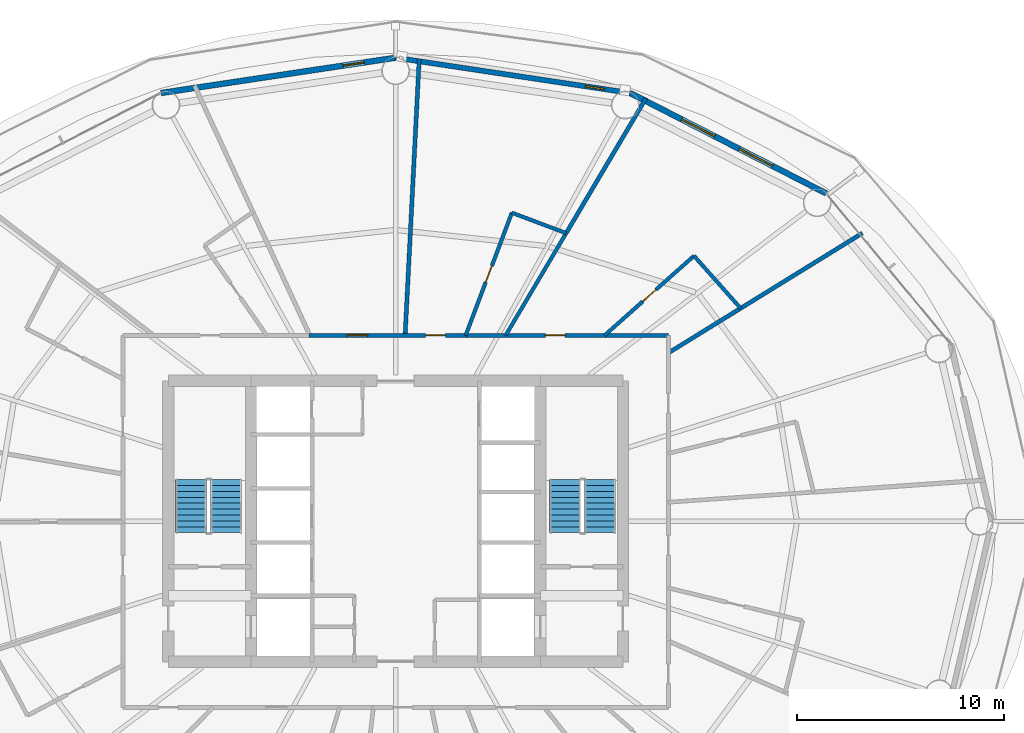
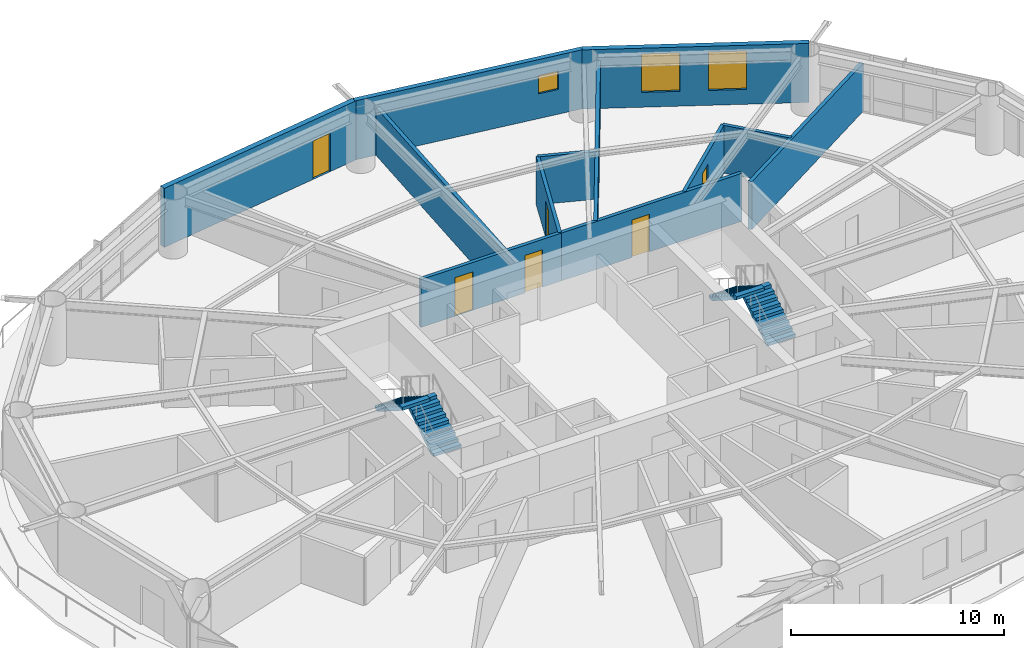
# One storey, part 21 of 24: 13 walls, 6 doors, 4 stair flights, 3 windows, 9 openings, 2 elements without a shape of their own.
"""IFC4 building model written with IfcOpenShell, lengths in metres."""

from ifc_helpers import new_model, si_unit, direction, frame, frame_2d, origin, place, context, subcontext, project, spatial, polyline, rectangle, outline, extrude, material, layer, layer_set, type_object, element, fill, aggregate, save


model = new_model("IFC4")

# Units and contexts
model_context = context("Model", 3, precision=1e-05, world=origin(), true_north=direction((0.0, 1.0)))
body_context = subcontext(model_context, "Body", "Model", "MODEL_VIEW")
ifc_project = project(units=[si_unit("LENGTHUNIT", "METRE"), si_unit("AREAUNIT", "SQUARE_METRE"), si_unit("VOLUMEUNIT", "CUBIC_METRE"), si_unit("PLANEANGLEUNIT", "RADIAN"), si_unit("MASSUNIT", "GRAM", prefix="KILO")], contexts=[model_context])

# Site, building, storey
site_placement = place(None, origin())
site = spatial("IfcSite", under=ifc_project, at=site_placement, CompositionType="ELEMENT")
building_placement = place(site_placement, origin())
building = spatial("IfcBuilding", under=site, at=building_placement, Name="Sarneth Arch Tower", CompositionType="ELEMENT")
storey_placement = place(building_placement, frame((0.0, 0.0, 91.199951171875)))
storey = spatial("IfcBuildingStorey", under=building, at=storey_placement, Name="L22", CompositionType="ELEMENT", Elevation=91.199951171875)

# Wall, opening, door
ifc_material_1 = material(Name="Double steel-stud corridor fire wall", Category="steel")
ifc_layer_1 = layer(ifc_material_1, 0.18994140625)
ifc_layer_set_1 = layer_set([ifc_layer_1], Name="Double steel-stud corridor fire wall")
wall_type_1 = type_object("IfcWallType", Name="WALL-CORR-190", PredefinedType="PARTITIONING", material=ifc_layer_set_1)
wall_1_placement = place(storey_placement, frame((51.35693359375, 51.0, 0.0), z_axis=(0.0, 0.0, 1.0), x_axis=(1.0, 0.0, 0.0)))
wall_1 = element("IfcWall", 1, at=wall_1_placement, inside=storey, type_object=wall_type_1, Name="L22 Interior partition W-L22-TP-003", PredefinedType="PARTITIONING", context=body_context, shape_type="SweptSolid", body=[
    extrude(rectangle(XDim=9.843017578125, YDim=0.18994140625, at=frame_2d((4.92138671875, 0.0))), origin(), (0.0, 0.0, 1.0), 2.739990234375),
])
opening_1_placement = place(wall_1_placement, frame((3.893798828125, 0.0, 0.0)))
opening_1 = element("IfcOpeningElement", 2, at=opening_1_placement, cuts=wall_1, Name="Opening FD-09", PredefinedType="OPENING", context=body_context, shape_type="SweptSolid", body=[
    extrude(rectangle(XDim=0.949951171875, YDim=2.14990234375, at=frame_2d((0.47509765625, 1.074951171875))), frame((0.0, 0.10498046875, 0.0), z_axis=(0.0, -1.0, 0.0), x_axis=(1.0, 0.0, 0.0)), (0.0, 0.0, 1.0), 0.2099609375),
])
ifc_material_2 = material(Name="Hardwood timber hotel entrance fire door", Category="wood")
door_type_1 = type_object("IfcDoorType", Name="DR-FD60-950", OperationType="SINGLE_SWING_RIGHT", PredefinedType="DOOR", material=ifc_material_2)
door_1_placement = place(opening_1_placement, origin())
door_1 = element("IfcDoor", 3, at=door_1_placement, inside=storey, type_object=door_type_1, Name="L22 Interior door DR-L22-KEY-02", OperationType="SINGLE_SWING_LEFT", OverallHeight=2.14990234375, OverallWidth=0.949951171875, PredefinedType="DOOR", context=body_context, shape_type="SweptSolid", body=[
    extrude(rectangle(XDim=0.949951171875, YDim=2.14990234375, at=frame_2d((0.47509765625, 1.074951171875))), frame((0.0, 0.02490234375, 0.0), z_axis=(0.0, -1.0, 0.0), x_axis=(1.0, 0.0, 0.0)), (0.0, 0.0, 1.0), 0.050048828125),
])
fill(opening_1, door_1)

# Wall, openings, doors
wall_2_placement = place(storey_placement, frame((43.81201171875, 51.0, 0.0), z_axis=(0.0, 0.0, 1.0), x_axis=(1.0, 0.0, 0.0)))
wall_2 = element("IfcWall", 4, at=wall_2_placement, inside=storey, type_object=wall_type_1, Name="L22 Interior partition W-L22-TP-008", PredefinedType="PARTITIONING", context=body_context, shape_type="SweptSolid", body=[
    extrude(rectangle(XDim=7.61328125, YDim=0.18994140625, at=frame_2d((3.806640625, 0.0))), origin(), (0.0, 0.0, 1.0), 2.739990234375),
])
opening_2_placement = place(wall_2_placement, frame((1.839599609375, 0.0, 0.0)))
opening_2 = element("IfcOpeningElement", 5, at=opening_2_placement, cuts=wall_2, Name="Opening FD-08", PredefinedType="OPENING", context=body_context, shape_type="SweptSolid", body=[
    extrude(rectangle(XDim=1.0, YDim=2.199951171875, at=frame_2d((0.5, 1.10009765625))), frame((0.0, 0.10498046875, 0.0), z_axis=(0.0, -1.0, 0.0), x_axis=(1.0, 0.0, 0.0)), (0.0, 0.0, 1.0), 0.2099609375),
])
opening_3_placement = place(wall_2_placement, frame((5.639404296875, 0.0, 0.0)))
opening_3 = element("IfcOpeningElement", 6, at=opening_3_placement, cuts=wall_2, Name="Opening FD-09", PredefinedType="OPENING", context=body_context, shape_type="SweptSolid", body=[
    extrude(rectangle(XDim=0.949951171875, YDim=2.14990234375, at=frame_2d((0.47509765625, 1.074951171875))), frame((0.0, 0.10498046875, 0.0), z_axis=(0.0, -1.0, 0.0), x_axis=(1.0, 0.0, 0.0)), (0.0, 0.0, 1.0), 0.2099609375),
])
ifc_material_3 = material(Name="Hardwood timber acoustic fire door", Category="wood")
door_type_2 = type_object("IfcDoorType", Name="DR-FD60-1000", OperationType="SINGLE_SWING_LEFT", PredefinedType="DOOR", material=ifc_material_3)
door_2_placement = place(opening_2_placement, origin())
door_2 = element("IfcDoor", 7, at=door_2_placement, inside=storey, type_object=door_type_2, Name="L22 Interior door DR-L22-AMN-04", OperationType="SINGLE_SWING_RIGHT", OverallHeight=2.199951171875, OverallWidth=1.0, PredefinedType="DOOR", context=body_context, shape_type="SweptSolid", body=[
    extrude(rectangle(XDim=1.0, YDim=2.199951171875, at=frame_2d((0.5, 1.10009765625))), frame((0.0, 0.02490234375, 0.0), z_axis=(0.0, -1.0, 0.0), x_axis=(1.0, 0.0, 0.0)), (0.0, 0.0, 1.0), 0.050048828125),
])
fill(opening_2, door_2)
door_3_placement = place(opening_3_placement, origin())
door_3 = element("IfcDoor", 8, at=door_3_placement, inside=storey, type_object=door_type_1, Name="L22 Interior door DR-L22-KEY-03", OperationType="SINGLE_SWING_RIGHT", OverallHeight=2.14990234375, OverallWidth=0.949951171875, PredefinedType="DOOR", context=body_context, shape_type="SweptSolid", body=[
    extrude(rectangle(XDim=0.949951171875, YDim=2.14990234375, at=frame_2d((0.47509765625, 1.074951171875))), frame((0.0, 0.02490234375, 0.0), z_axis=(0.0, -1.0, 0.0), x_axis=(1.0, 0.0, 0.0)), (0.0, 0.0, 1.0), 0.050048828125),
])
fill(opening_3, door_3)

# Wall, opening, window
ifc_material_4 = material(Name="Extruded terracotta rainscreen on Concrete C40/50 backing", Category="masonry")
ifc_layer_2 = layer(ifc_material_4, 0.25)
ifc_layer_set_2 = layer_set([ifc_layer_2], Name="Extruded terracotta rainscreen on Concrete C40/50 backing")
wall_type_2 = type_object("IfcWallType", Name="WALL-EXT-SPAND-250", PredefinedType="SOLIDWALL", material=ifc_layer_set_2)
wall_3_placement = place(storey_placement, frame((59.351318359375, 62.72265625, 0.0), z_axis=(0.0, 0.0, 1.0), x_axis=(-0.988877774656, 0.148730450117, 0.0)))
wall_3 = element("IfcWall", 9, at=wall_3_placement, inside=storey, type_object=wall_type_2, Name="L22 Terracotta perimeter wall 04", PredefinedType="SOLIDWALL", context=body_context, shape_type="SweptSolid", body=[
    extrude(rectangle(XDim=11.47900390625, YDim=0.25, at=frame_2d((5.739501953125, 0.0))), origin(), (0.0, 0.0, 1.0), 3.380126953125),
])
opening_4_placement = place(wall_3_placement, frame((1.230712890625, 0.0, 1.419921875)))
opening_4 = element("IfcOpeningElement", 10, at=opening_4_placement, cuts=wall_3, Name="Opening W-14", PredefinedType="OPENING", context=body_context, shape_type="SweptSolid", body=[
    extrude(rectangle(XDim=1.0, YDim=1.050048828125, at=frame_2d((0.5, 0.52490234375))), frame((0.0, 0.135009765625, 0.0), z_axis=(0.0, -1.0, 0.0), x_axis=(1.0, 0.0, 0.0)), (0.0, 0.0, 1.0), 0.27001953125),
])
ifc_material_5 = material(Name="Thermally broken Aluminium 6063-T6 and low-e laminated IGU", Category="aluminium")
window_type_1 = type_object("IfcWindowType", Name="WIN-TWR-1000x1050", PartitioningType="SINGLE_PANEL", PredefinedType="WINDOW", material=ifc_material_5)
window_1_placement = place(opening_4_placement, origin())
window_1 = element("IfcWindow", 11, at=window_1_placement, inside=storey, type_object=window_type_1, Name="L22 Dwelling bedroom window 01", OverallHeight=1.050048828125, OverallWidth=1.0, PartitioningType="SINGLE_PANEL", PredefinedType="WINDOW", context=body_context, shape_type="SweptSolid", body=[
    extrude(rectangle(XDim=1.0, YDim=1.050048828125, at=frame_2d((0.5, 0.52490234375))), frame((0.0, 0.030029296875, 0.0), z_axis=(0.0, -1.0, 0.0), x_axis=(1.0, 0.0, 0.0)), (0.0, 0.0, 1.0), 0.06005859375),
])
fill(opening_4, window_1)

# Wall, openings, windows
ifc_material_6 = material(Name="Extruded terracotta rainscreen on Concrete C40/50 backing", Category="masonry")
ifc_layer_3 = layer(ifc_material_6, 0.280029296875)
ifc_layer_set_3 = layer_set([ifc_layer_3], Name="Extruded terracotta rainscreen on Concrete C40/50 backing")
wall_type_3 = type_object("IfcWallType", Name="WALL-EXT-TERRA-280", PredefinedType="SOLIDWALL", material=ifc_layer_set_3)
wall_4_placement = place(storey_placement, frame((68.840087890625, 57.8603515625, 0.0), z_axis=(0.0, 0.0, 1.0), x_axis=(-0.889959505023, 0.45603955905, 0.0)))
wall_4 = element("IfcWall", 12, at=wall_4_placement, inside=storey, type_object=wall_type_3, Name="L22 Terracotta perimeter wall 03", PredefinedType="SOLIDWALL", context=body_context, shape_type="SweptSolid", body=[
    extrude(rectangle(XDim=10.662109375, YDim=0.280029296875, at=frame_2d((5.3310546875, 0.0))), origin(), (0.0, 0.0, 1.0), 3.380126953125),
])
opening_5_placement = place(wall_4_placement, frame((2.9306640625, 0.0, 0.85009765625)))
opening_5 = element("IfcOpeningElement", 13, at=opening_5_placement, cuts=wall_4, Name="Opening W-04", PredefinedType="OPENING", context=body_context, shape_type="SweptSolid", body=[
    extrude(rectangle(XDim=1.800048828125, YDim=2.199951171875, at=frame_2d((0.89990234375, 1.10009765625))), frame((0.0, 0.14990234375, 0.0), z_axis=(0.0, -1.0, 0.0), x_axis=(1.0, 0.0, 0.0)), (0.0, 0.0, 1.0), 0.300048828125),
])
opening_6_placement = place(wall_4_placement, frame((6.07080078125, 0.0, 0.85009765625)))
opening_6 = element("IfcOpeningElement", 14, at=opening_6_placement, cuts=wall_4, Name="Opening W-04", PredefinedType="OPENING", context=body_context, shape_type="SweptSolid", body=[
    extrude(rectangle(XDim=1.800048828125, YDim=2.199951171875, at=frame_2d((0.89990234375, 1.10009765625))), frame((0.0, 0.14990234375, 0.0), z_axis=(0.0, -1.0, 0.0), x_axis=(1.0, 0.0, 0.0)), (0.0, 0.0, 1.0), 0.300048828125),
])
ifc_material_7 = material(Name="Thermally broken Aluminium 6063-T6 and low-e laminated IGU", Category="aluminium")
window_type_2 = type_object("IfcWindowType", Name="WIN-TWR-1800x2200", PartitioningType="DOUBLE_PANEL_VERTICAL", PredefinedType="WINDOW", material=ifc_material_7)
window_2_placement = place(opening_5_placement, origin())
window_2 = element("IfcWindow", 15, at=window_2_placement, inside=storey, type_object=window_type_2, Name="L22 Exterior window 03A", OverallHeight=2.199951171875, OverallWidth=1.800048828125, PartitioningType="SINGLE_PANEL", PredefinedType="WINDOW", context=body_context, shape_type="SweptSolid", body=[
    extrude(rectangle(XDim=1.800048828125, YDim=2.199951171875, at=frame_2d((0.89990234375, 1.10009765625))), frame((0.0, 0.030029296875, 0.0), z_axis=(0.0, -1.0, 0.0), x_axis=(1.0, 0.0, 0.0)), (0.0, 0.0, 1.0), 0.06005859375),
])
fill(opening_5, window_2)
window_3_placement = place(opening_6_placement, origin())
window_3 = element("IfcWindow", 16, at=window_3_placement, inside=storey, type_object=window_type_2, Name="L22 Exterior window 03B", OverallHeight=2.199951171875, OverallWidth=1.800048828125, PartitioningType="SINGLE_PANEL", PredefinedType="WINDOW", context=body_context, shape_type="SweptSolid", body=[
    extrude(rectangle(XDim=1.800048828125, YDim=2.199951171875, at=frame_2d((0.89990234375, 1.10009765625))), frame((0.0, 0.030029296875, 0.0), z_axis=(0.0, -1.0, 0.0), x_axis=(1.0, 0.0, 0.0)), (0.0, 0.0, 1.0), 0.06005859375),
])
fill(opening_6, window_3)

# Wall, opening, door
wall_5_placement = place(storey_placement, frame((48.0, 64.429931640625, 0.0), z_axis=(0.0, 0.0, 1.0), x_axis=(-0.988877774656, -0.148730450117, 0.0)))
wall_5 = element("IfcWall", 17, at=wall_5_placement, inside=storey, type_object=wall_type_3, Name="L22 Terracotta perimeter wall 05", PredefinedType="SOLIDWALL", context=body_context, shape_type="SweptSolid", body=[
    extrude(rectangle(XDim=11.47900390625, YDim=0.280029296875, at=frame_2d((5.739501953125, 0.0))), origin(), (0.0, 0.0, 1.0), 3.380126953125),
])
opening_7_placement = place(wall_5_placement, frame((1.523681640625, 0.0, 0.0)))
opening_7 = element("IfcOpeningElement", 18, at=opening_7_placement, cuts=wall_5, Name="Opening BD-4", PredefinedType="OPENING", context=body_context, shape_type="SweptSolid", body=[
    extrude(rectangle(XDim=1.050048828125, YDim=2.199951171875, at=frame_2d((0.52490234375, 1.10009765625))), frame((0.0, 0.14990234375, 0.0), z_axis=(0.0, -1.0, 0.0), x_axis=(1.0, 0.0, 0.0)), (0.0, 0.0, 1.0), 0.300048828125),
])
ifc_material_8 = material(Name="Thermally broken Aluminium 6063-T6 and laminated safety glass", Category="aluminium")
door_type_3 = type_object("IfcDoorType", Name="DR-BALC-GLZ-1050", OperationType="SINGLE_SWING_RIGHT", PredefinedType="DOOR", material=ifc_material_8)
door_4_placement = place(opening_7_placement, origin())
door_4 = element("IfcDoor", 19, at=door_4_placement, inside=storey, type_object=door_type_3, Name="L22 Balcony glazed door 05", OperationType="SINGLE_SWING_RIGHT", OverallHeight=2.199951171875, OverallWidth=1.050048828125, PredefinedType="DOOR", context=body_context, shape_type="SweptSolid", body=[
    extrude(rectangle(XDim=1.050048828125, YDim=2.199951171875, at=frame_2d((0.52490234375, 1.10009765625))), frame((0.0, 0.02490234375, 0.0), z_axis=(0.0, -1.0, 0.0), x_axis=(1.0, 0.0, 0.0)), (0.0, 0.0, 1.0), 0.050048828125),
])
fill(opening_7, door_4)

ifc_material_9 = material(Name="Moisture-resistant plumbing chase wall", Category="gypsum")
ifc_layer_4 = layer(ifc_material_9, 0.179931640625)
ifc_layer_set_4 = layer_set([ifc_layer_4], Name="Moisture-resistant plumbing chase wall")
wall_type_4 = type_object("IfcWallType", Name="WALL-PLUMB-180", PredefinedType="PLUMBINGWALL", material=ifc_layer_set_4)
wall_6_placement = place(storey_placement, frame((51.39111328125, 51.0, 0.0), z_axis=(0.0, 0.0, 1.0), x_axis=(0.352583810303, 0.935780239539, 0.0)))
wall_6 = element("IfcWall", 20, at=wall_6_placement, inside=storey, type_object=wall_type_4, Name="L22 Interior partition W-L22-TP-039", PredefinedType="PLUMBINGWALL", context=body_context, shape_type="SweptSolid", body=[
    extrude(rectangle(XDim=6.337158203125, YDim=0.179931640625, at=frame_2d((3.16845703125, 0.0))), origin(), (0.0, 0.0, 1.0), 2.739990234375),
])
opening_8_placement = place(wall_6_placement, frame((2.74365234375, 0.0, 0.0)))
opening_8 = element("IfcOpeningElement", 21, at=opening_8_placement, cuts=wall_6, Name="Opening ID-02", PredefinedType="OPENING", context=body_context, shape_type="SweptSolid", body=[
    extrude(rectangle(XDim=0.85009765625, YDim=2.10009765625, at=frame_2d((0.425048828125, 1.050048828125))), frame((0.0, 0.099853515625, 0.0), z_axis=(0.0, -1.0, 0.0), x_axis=(1.0, 0.0, 0.0)), (0.0, 0.0, 1.0), 0.199951171875),
])
ifc_material_10 = material(Name="Moisture-resistant bathroom timber door", Category="wood")
door_type_4 = type_object("IfcDoorType", Name="DR-INT-850", OperationType="SINGLE_SWING_RIGHT", PredefinedType="DOOR", material=ifc_material_10)
door_5_placement = place(opening_8_placement, origin())
door_5 = element("IfcDoor", 22, at=door_5_placement, inside=storey, type_object=door_type_4, Name="L22 Interior door DR-L22-ENS-03", OperationType="SINGLE_SWING_LEFT", OverallHeight=2.10009765625, OverallWidth=0.85009765625, PredefinedType="DOOR", context=body_context, shape_type="SweptSolid", body=[
    extrude(rectangle(XDim=0.85009765625, YDim=2.10009765625, at=frame_2d((0.425048828125, 1.050048828125))), frame((0.0, 0.02490234375, 0.0), z_axis=(0.0, -1.0, 0.0), x_axis=(1.0, 0.0, 0.0)), (0.0, 0.0, 1.0), 0.050048828125),
])
fill(opening_8, door_5)

wall_7_placement = place(storey_placement, frame((62.435791015625, 54.844482421875, 0.0), z_axis=(0.0, 0.0, 1.0), x_axis=(-0.747085499985, -0.664727956168, 0.0)))
wall_7 = element("IfcWall", 23, at=wall_7_placement, inside=storey, type_object=wall_type_4, Name="L22 Interior partition W-L22-TP-036", PredefinedType="PLUMBINGWALL", context=body_context, shape_type="SweptSolid", body=[
    extrude(rectangle(XDim=5.783447265625, YDim=0.179931640625, at=frame_2d((2.8916015625, 0.0))), origin(), (0.0, 0.0, 1.0), 2.739990234375),
])
opening_9_placement = place(wall_7_placement, frame((2.466796875, 0.0, 0.0)))
opening_9 = element("IfcOpeningElement", 24, at=opening_9_placement, cuts=wall_7, Name="Opening ID-02", PredefinedType="OPENING", context=body_context, shape_type="SweptSolid", body=[
    extrude(rectangle(XDim=0.85009765625, YDim=2.10009765625, at=frame_2d((0.425048828125, 1.050048828125))), frame((0.0, 0.099853515625, 0.0), z_axis=(0.0, -1.0, 0.0), x_axis=(1.0, 0.0, 0.0)), (0.0, 0.0, 1.0), 0.199951171875),
])
door_6_placement = place(opening_9_placement, origin())
door_6 = element("IfcDoor", 25, at=door_6_placement, inside=storey, type_object=door_type_4, Name="L22 Interior door DR-L22-ENS-02", OperationType="SINGLE_SWING_LEFT", OverallHeight=2.10009765625, OverallWidth=0.85009765625, PredefinedType="DOOR", context=body_context, shape_type="SweptSolid", body=[
    extrude(rectangle(XDim=0.85009765625, YDim=2.10009765625, at=frame_2d((0.425048828125, 1.050048828125))), frame((0.0, 0.02490234375, 0.0), z_axis=(0.0, -1.0, 0.0), x_axis=(1.0, 0.0, 0.0)), (0.0, 0.0, 1.0), 0.050048828125),
])
fill(opening_9, door_6)

# Walls
wall_8_placement = place(storey_placement, frame((56.25, 55.94140625, 0.0), z_axis=(0.0, 0.0, 1.0), x_axis=(-0.509296473297, -0.860591135376, 0.0)))
element("IfcWall", 26, at=wall_8_placement, inside=storey, type_object=wall_type_4, Name="L22 Interior partition W-L22-TP-038", PredefinedType="PLUMBINGWALL", context=body_context, shape_type="SweptSolid", body=[
    extrude(rectangle(XDim=5.741943359375, YDim=0.179931640625, at=frame_2d((2.87109375, 0.0))), origin(), (0.0, 0.0, 1.0), 2.739990234375),
])
wall_9_placement = place(storey_placement, frame((64.693603515625, 52.306884765625, 0.0), z_axis=(0.0, 0.0, 1.0), x_axis=(-0.664720670732, 0.747091982222, 0.0)))
element("IfcWall", 27, at=wall_9_placement, inside=storey, type_object=wall_type_4, Name="L22 Interior partition W-L22-TP-035", PredefinedType="PLUMBINGWALL", context=body_context, shape_type="SweptSolid", body=[
    extrude(rectangle(XDim=3.396728515625, YDim=0.179931640625, at=frame_2d((1.6982421875, 0.0))), origin(), (0.0, 0.0, 1.0), 2.739990234375),
])
wall_10_placement = place(storey_placement, frame((53.62548828125, 56.93017578125, 0.0), z_axis=(0.0, 0.0, 1.0), x_axis=(0.93579147225, -0.352553996522, 0.0)))
element("IfcWall", 28, at=wall_10_placement, inside=storey, type_object=wall_type_4, Name="L22 Interior partition W-L22-TP-040", PredefinedType="PLUMBINGWALL", context=body_context, shape_type="SweptSolid", body=[
    extrude(rectangle(XDim=2.8046875, YDim=0.179931640625, at=frame_2d((1.40234375, 0.0))), origin(), (0.0, 0.0, 1.0), 2.739990234375),
])
ifc_material_11 = material(Name="Double steel-stud acoustic drywall", Category="steel")
ifc_layer_5 = layer(ifc_material_11, 0.199951171875)
ifc_layer_set_5 = layer_set([ifc_layer_5], Name="Double steel-stud acoustic drywall")
wall_type_5 = type_object("IfcWallType", Name="WALL-UNIT-200", PredefinedType="PARTITIONING", material=ifc_layer_set_5)
wall_11_placement = place(storey_placement, frame((49.142578125, 64.37890625, 0.0), z_axis=(0.0, 0.0, 1.0), x_axis=(-0.050973793346, -0.998699991185, 0.0)))
element("IfcWall", 29, at=wall_11_placement, inside=storey, type_object=wall_type_5, Name="L22 Interior partition W-L22-TP-041", PredefinedType="PARTITIONING", context=body_context, shape_type="SweptSolid", body=[
    extrude(rectangle(XDim=13.396240234375, YDim=0.199951171875, at=frame_2d((6.6982421875, 0.0))), origin(), (0.0, 0.0, 1.0), 2.739990234375),
])
wall_12_placement = place(storey_placement, frame((60.11181640625, 62.467529296875, 0.0), z_axis=(0.0, 0.0, 1.0), x_axis=(-0.509263960295, -0.860610375689, 0.0)))
element("IfcWall", 30, at=wall_12_placement, inside=storey, type_object=wall_type_5, Name="L22 Interior partition W-L22-TP-037", PredefinedType="PARTITIONING", context=body_context, shape_type="SweptSolid", body=[
    extrude(rectangle(XDim=7.583251953125, YDim=0.199951171875, at=frame_2d((3.79150390625, 0.0))), origin(), (0.0, 0.0, 1.0), 2.739990234375),
])
wall_13_placement = place(storey_placement, frame((61.199951171875, 50.14990234375, 0.0), z_axis=(0.0, 0.0, 1.0), x_axis=(0.850874276333, 0.525369361377, 0.0)))
element("IfcWall", 31, at=wall_13_placement, inside=storey, type_object=wall_type_5, Name="L22 Interior partition W-L22-TP-031", PredefinedType="PARTITIONING", context=body_context, shape_type="SweptSolid", body=[
    extrude(rectangle(XDim=11.025634765625, YDim=0.199951171875, at=frame_2d((5.5126953125, 0.0))), origin(), (0.0, 0.0, 1.0), 2.739990234375),
])

# Stair, stair flights
ifc_material_12 = material(Name="Concrete C50/60", Category="concrete")
stair_type = type_object("IfcStairType", Name="STAIR-CORE-RC", PredefinedType="HALF_TURN_STAIR", material=ifc_material_12)
stair_1_placement = place(storey_placement, origin())
stair_1 = element("IfcStair", 32, at=stair_1_placement, inside=storey, type_object=stair_type, Name="L22 Core Exit Stair 1", PredefinedType="HALF_TURN_STAIR")
ifc_material_13 = material(Name="Concrete C50/60", Category="concrete")
stair_flight_type = type_object("IfcStairFlightType", Name="FLIGHT-RC-1500", PredefinedType="STRAIGHT", material=ifc_material_13)
stair_flight_1_placement = place(storey_placement, frame((39.800048828125, 41.449951171875, 0.0), z_axis=(0.0, 0.0, 1.0), x_axis=(0.0, 1.0, 0.0)))
stair_flight_1 = element("IfcStairFlight", 33, at=stair_flight_1_placement, type_object=stair_flight_type, Name="ST-1 flight 1", NumberOfRisers=10, NumberOfTreads=9, PredefinedType="STRAIGHT", RiserHeight=0.18, TreadLength=0.285, context=body_context, shape_type="SweptSolid", body=[
    extrude(outline(polyline([(0.0, 0.0), (0.0, 0.179931640625), (0.284912109375, 0.179931640625), (0.284912109375, 0.360107421875), (0.570068359375, 0.360107421875), (0.570068359375, 0.5400390625), (0.85498046875, 0.5400390625), (0.85498046875, 0.719970703125), (1.139892578125, 0.719970703125), (1.139892578125, 0.89990234375), (1.425048828125, 0.89990234375), (1.425048828125, 1.080078125), (1.7099609375, 1.080078125), (1.7099609375, 1.260009765625), (1.9951171875, 1.260009765625), (1.9951171875, 1.43994140625), (2.280029296875, 1.43994140625), (2.280029296875, 1.6201171875), (2.56494140625, 1.6201171875), (2.56494140625, 1.800048828125), (2.56494140625, 1.442626953125), (0.28076171875, 0.0), (0.0, 0.0)])), frame((0.0, 0.75, 0.0), z_axis=(0.0, -1.0, 0.0), x_axis=(1.0, 0.0, 0.0)), (0.0, 0.0, 1.0), 1.5),
])
stair_flight_2_placement = place(storey_placement, frame((38.10009765625, 44.014892578125, 1.800048828125), z_axis=(0.0, 0.0, 1.0), x_axis=(0.0, -1.0, 0.0)))
stair_flight_2 = element("IfcStairFlight", 34, at=stair_flight_2_placement, type_object=stair_flight_type, Name="ST-1 flight 2", NumberOfRisers=10, NumberOfTreads=9, PredefinedType="STRAIGHT", RiserHeight=0.18, TreadLength=0.285, context=body_context, shape_type="SweptSolid", body=[
    extrude(outline(polyline([(0.0, 0.0), (0.0, 0.179931640625), (0.284912109375, 0.179931640625), (0.284912109375, 0.360107421875), (0.570068359375, 0.360107421875), (0.570068359375, 0.5400390625), (0.85498046875, 0.5400390625), (0.85498046875, 0.719970703125), (1.139892578125, 0.719970703125), (1.139892578125, 0.89990234375), (1.425048828125, 0.89990234375), (1.425048828125, 1.080078125), (1.7099609375, 1.080078125), (1.7099609375, 1.260009765625), (1.9951171875, 1.260009765625), (1.9951171875, 1.43994140625), (2.280029296875, 1.43994140625), (2.280029296875, 1.6201171875), (2.56494140625, 1.6201171875), (2.56494140625, 1.800048828125), (2.56494140625, 1.442626953125), (0.28076171875, 0.0), (0.0, 0.0)])), frame((0.0, 0.75, 0.0), z_axis=(0.0, -1.0, 0.0), x_axis=(1.0, 0.0, 0.0)), (0.0, 0.0, 1.0), 1.5),
])
aggregate(stair_1, [stair_flight_1, stair_flight_2])

stair_2_placement = place(storey_placement, origin())
stair_2 = element("IfcStair", 35, at=stair_2_placement, inside=storey, type_object=stair_type, Name="L22 Core Exit Stair 2", PredefinedType="HALF_TURN_STAIR")
stair_flight_3_placement = place(storey_placement, frame((57.89990234375, 41.449951171875, 0.0), z_axis=(0.0, 0.0, 1.0), x_axis=(0.0, 1.0, 0.0)))
stair_flight_3 = element("IfcStairFlight", 36, at=stair_flight_3_placement, type_object=stair_flight_type, Name="ST-2 flight 1", NumberOfRisers=10, NumberOfTreads=9, PredefinedType="STRAIGHT", RiserHeight=0.18, TreadLength=0.285, context=body_context, shape_type="SweptSolid", body=[
    extrude(outline(polyline([(0.0, 0.0), (0.0, 0.179931640625), (0.284912109375, 0.179931640625), (0.284912109375, 0.360107421875), (0.570068359375, 0.360107421875), (0.570068359375, 0.5400390625), (0.85498046875, 0.5400390625), (0.85498046875, 0.719970703125), (1.139892578125, 0.719970703125), (1.139892578125, 0.89990234375), (1.425048828125, 0.89990234375), (1.425048828125, 1.080078125), (1.7099609375, 1.080078125), (1.7099609375, 1.260009765625), (1.9951171875, 1.260009765625), (1.9951171875, 1.43994140625), (2.280029296875, 1.43994140625), (2.280029296875, 1.6201171875), (2.56494140625, 1.6201171875), (2.56494140625, 1.800048828125), (2.56494140625, 1.442626953125), (0.28076171875, 0.0), (0.0, 0.0)])), frame((0.0, 0.75, 0.0), z_axis=(0.0, -1.0, 0.0), x_axis=(1.0, 0.0, 0.0)), (0.0, 0.0, 1.0), 1.5),
])
stair_flight_4_placement = place(storey_placement, frame((56.199951171875, 44.014892578125, 1.800048828125), z_axis=(0.0, 0.0, 1.0), x_axis=(0.0, -1.0, 0.0)))
stair_flight_4 = element("IfcStairFlight", 37, at=stair_flight_4_placement, type_object=stair_flight_type, Name="ST-2 flight 2", NumberOfRisers=10, NumberOfTreads=9, PredefinedType="STRAIGHT", RiserHeight=0.18, TreadLength=0.285, context=body_context, shape_type="SweptSolid", body=[
    extrude(outline(polyline([(0.0, 0.0), (0.0, 0.179931640625), (0.284912109375, 0.179931640625), (0.284912109375, 0.360107421875), (0.570068359375, 0.360107421875), (0.570068359375, 0.5400390625), (0.85498046875, 0.5400390625), (0.85498046875, 0.719970703125), (1.139892578125, 0.719970703125), (1.139892578125, 0.89990234375), (1.425048828125, 0.89990234375), (1.425048828125, 1.080078125), (1.7099609375, 1.080078125), (1.7099609375, 1.260009765625), (1.9951171875, 1.260009765625), (1.9951171875, 1.43994140625), (2.280029296875, 1.43994140625), (2.280029296875, 1.6201171875), (2.56494140625, 1.6201171875), (2.56494140625, 1.800048828125), (2.56494140625, 1.442626953125), (0.28076171875, 0.0), (0.0, 0.0)])), frame((0.0, 0.75, 0.0), z_axis=(0.0, -1.0, 0.0), x_axis=(1.0, 0.0, 0.0)), (0.0, 0.0, 1.0), 1.5),
])
aggregate(stair_2, [stair_flight_3, stair_flight_4])

save(model, "model.ifc")
